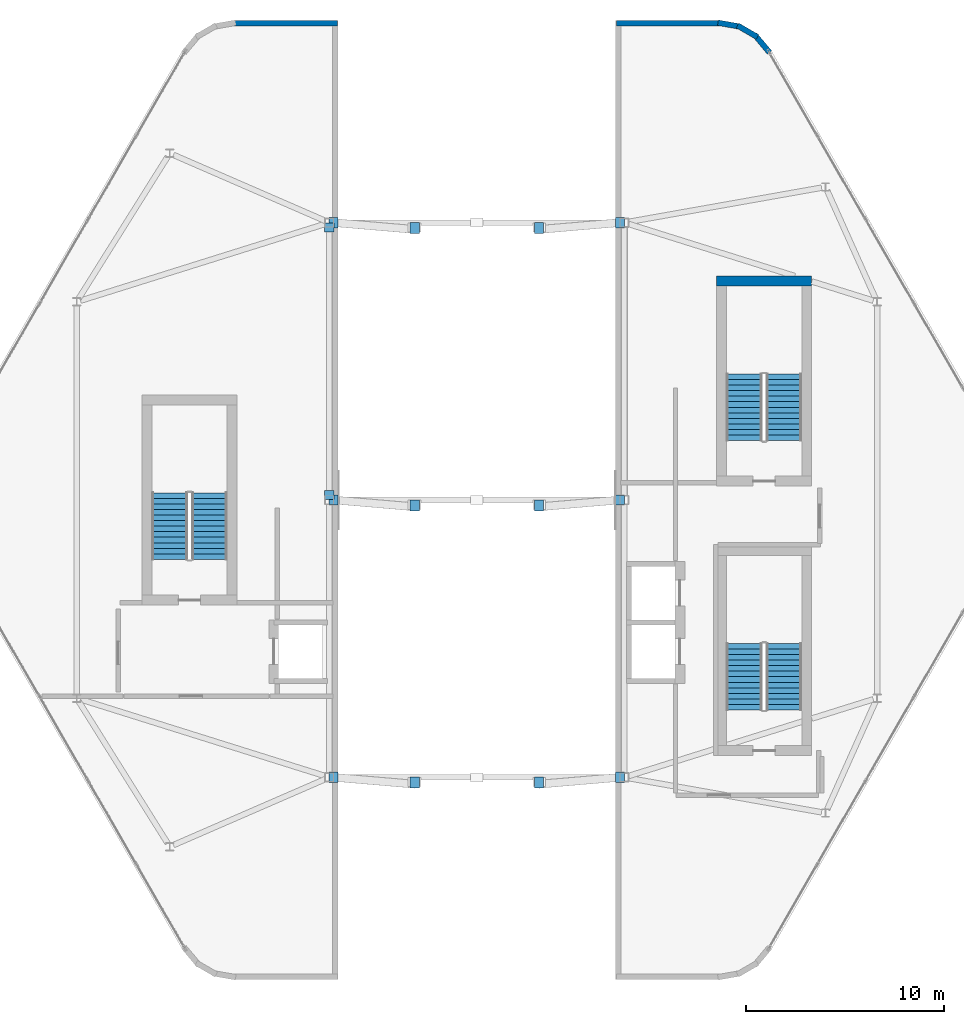
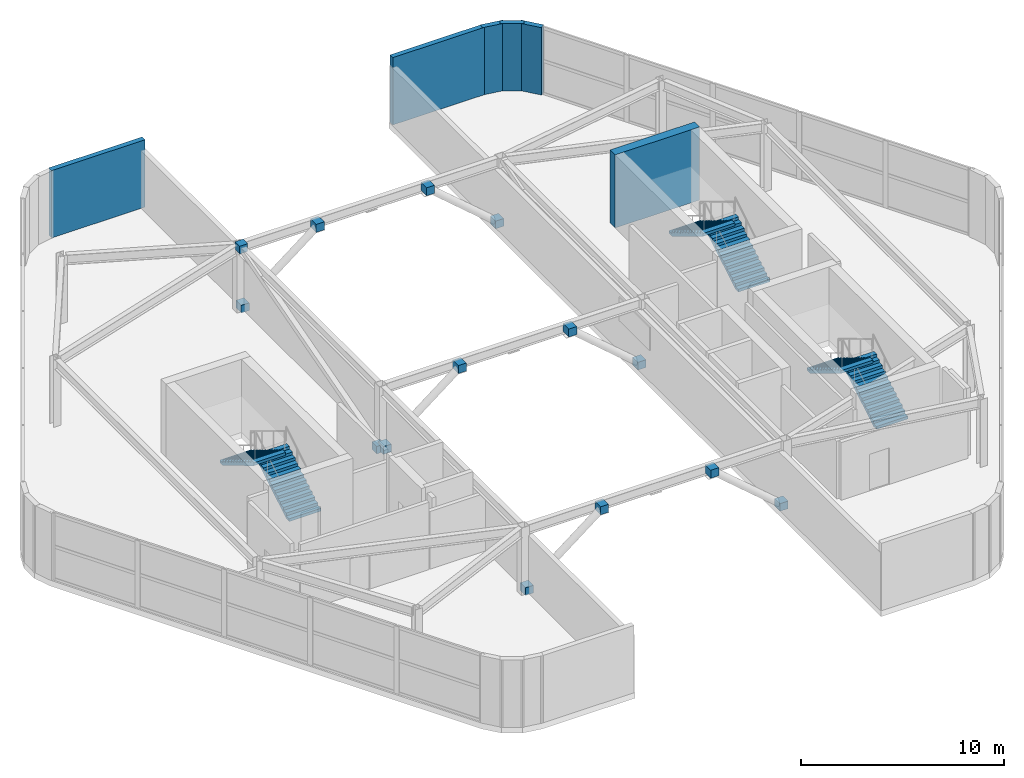
# One storey, part 15 of 16: 14 discrete accessories, 6 stair flights, 6 walls, 3 elements without a shape of their own.
"""IFC4 building model written with IfcOpenShell, lengths in metres."""

from ifc_helpers import new_model, si_unit, direction, frame, frame_2d, origin, origin_2d, place, context, subcontext, project, spatial, polyline, rectangle, outline, extrude, material, layer, layer_set, type_object, element, aggregate, save


model = new_model("IFC4")

# Units and contexts
model_context = context("Model", 3, precision=1e-05, world=origin(), true_north=direction((0.0, 1.0)))
body_context = subcontext(model_context, "Body", "Model", "MODEL_VIEW")
ifc_project = project(units=[si_unit("LENGTHUNIT", "METRE"), si_unit("AREAUNIT", "SQUARE_METRE"), si_unit("VOLUMEUNIT", "CUBIC_METRE"), si_unit("PLANEANGLEUNIT", "RADIAN"), si_unit("MASSUNIT", "GRAM", prefix="KILO")], contexts=[model_context])

# Site, building, storey
site_placement = place(None, origin())
site = spatial("IfcSite", under=ifc_project, at=site_placement, CompositionType="ELEMENT")
building_placement = place(site_placement, origin())
building = spatial("IfcBuilding", under=site, at=building_placement, Name="Zuhravey Tower", CompositionType="ELEMENT")
storey_placement = place(building_placement, frame((0.0, 0.0, 365.800048828125)))
storey = spatial("IfcBuildingStorey", under=building, at=storey_placement, Name="L93", CompositionType="ELEMENT", Elevation=365.800048828125)

# Walls
ifc_material_1 = material(Name="Concrete C50/60", Category="concrete")
ifc_layer_1 = layer(ifc_material_1, 0.5)
ifc_layer_set_1 = layer_set([ifc_layer_1], Name="Concrete C50/60")
wall_type_1 = type_object("IfcWallType", Name="Core Shear Wall 500", PredefinedType="SHEAR", material=ifc_layer_set_1)
wall_1_placement = place(storey_placement, frame((52.89990234375, 43.050048828125, 0.0), z_axis=(0.0, 0.0, 1.0), x_axis=(-1.0, 0.0, 0.0)))
element("IfcWall", 1, at=wall_1_placement, inside=storey, type_object=wall_type_1, Name="L93 CST3 North Shaft Wall", PredefinedType="SHEAR", context=body_context, shape_type="SweptSolid", body=[
    extrude(rectangle(XDim=4.7998046875, YDim=0.5, at=frame_2d((2.39990234375, 0.0))), origin(), (0.0, 0.0, 1.0), 4.39990234375),
])
ifc_material_2 = material(Name="Precast concrete C40/50", Category="concrete")
ifc_layer_2 = layer(ifc_material_2, 0.280029296875)
ifc_layer_set_2 = layer_set([ifc_layer_2], Name="Precast concrete C40/50")
wall_type_2 = type_object("IfcWallType", Name="Crown Architectural Wall 280", PredefinedType="SOLIDWALL", material=ifc_layer_set_2)
wall_2_placement = place(storey_placement, frame((23.640380859375, 56.07421875, 0.0), z_axis=(0.0, 0.0, 1.0), x_axis=(1.0, 0.0, 0.0)))
element("IfcWall", 2, at=wall_2_placement, inside=storey, type_object=wall_type_2, Name="L93 WEST Crest Wall EW28-12", PredefinedType="SOLIDWALL", context=body_context, shape_type="SweptSolid", body=[
    extrude(rectangle(XDim=5.314697265625, YDim=0.280029296875, at=frame_2d((2.6572265625, 0.0))), origin(), (0.0, 0.0, 1.0), 4.050048828125),
])
wall_3_placement = place(storey_placement, frame((48.1708984375, 56.090576171875, 0.0), z_axis=(0.0, 0.0, 1.0), x_axis=(0.984798162481, -0.173702559495, 0.0)))
element("IfcWall", 3, at=wall_3_placement, inside=storey, type_object=wall_type_2, Name="L93 EAST Crest Wall EW28-01", PredefinedType="SOLIDWALL", context=body_context, shape_type="SweptSolid", body=[
    extrude(rectangle(XDim=1.177734375, YDim=0.280029296875, at=frame_2d((0.5888671875, 0.0))), origin(), (0.0, 0.0, 1.0), 4.050048828125),
])
wall_4_placement = place(storey_placement, frame((49.15478515625, 55.9501953125, 0.0), z_axis=(0.0, 0.0, 1.0), x_axis=(0.865951785477, -0.500127488975, 0.0)))
element("IfcWall", 4, at=wall_4_placement, inside=storey, type_object=wall_type_2, Name="L93 EAST Crest Wall EW28-02", PredefinedType="SOLIDWALL", context=body_context, shape_type="SweptSolid", body=[
    extrude(rectangle(XDim=1.165283203125, YDim=0.280029296875, at=frame_2d((0.58251953125, 0.0))), origin(), (0.0, 0.0, 1.0), 4.050048828125),
])
wall_5_placement = place(storey_placement, frame((50.0205078125, 55.48779296875, 0.0), z_axis=(0.0, 0.0, 1.0), x_axis=(0.642851701012, -0.765990659542, 0.0)))
element("IfcWall", 5, at=wall_5_placement, inside=storey, type_object=wall_type_2, Name="L93 EAST Crest Wall EW28-03", PredefinedType="SOLIDWALL", context=body_context, shape_type="SweptSolid", body=[
    extrude(rectangle(XDim=1.177734375, YDim=0.280029296875, at=frame_2d((0.5888671875, 0.0))), origin(), (0.0, 0.0, 1.0), 4.050048828125),
])
wall_6_placement = place(storey_placement, frame((43.044921875, 56.07421875, 0.0), z_axis=(0.0, 0.0, 1.0), x_axis=(1.0, 0.0, 0.0)))
element("IfcWall", 6, at=wall_6_placement, inside=storey, type_object=wall_type_2, Name="L93 EAST Crest Wall EW28-14", PredefinedType="SOLIDWALL", context=body_context, shape_type="SweptSolid", body=[
    extrude(rectangle(XDim=5.314697265625, YDim=0.280029296875, at=frame_2d((2.6572265625, 0.0))), origin(), (0.0, 0.0, 1.0), 4.050048828125),
])

# Stair, stair flights
ifc_material_3 = material(Name="Concrete C40/50", Category="concrete")
stair_type = type_object("IfcStairType", Name="Crown Storey Stair Assembly 4400", PredefinedType="HALF_TURN_STAIR", material=ifc_material_3)
stair_1_placement = place(storey_placement, origin())
stair_1 = element("IfcStair", 7, at=stair_1_placement, inside=storey, type_object=stair_type, Name="L93 West Crest Stair CST1", PredefinedType="HALF_TURN_STAIR")
stair_flight_type = type_object("IfcStairFlightType", Name="Crown Storey Stair Flight 4400", PredefinedType="STRAIGHT", material=ifc_material_3)
stair_flight_1_placement = place(storey_placement, frame((22.5, 29.0, 0.0), z_axis=(0.0, 0.0, 1.0), x_axis=(0.0, 1.0, 0.0)))
stair_flight_1 = element("IfcStairFlight", 8, at=stair_flight_1_placement, type_object=stair_flight_type, Name="CST1 flight 1", NumberOfRisers=13, NumberOfTreads=12, PredefinedType="STRAIGHT", RiserHeight=0.169230769, TreadLength=0.28, context=body_context, shape_type="SweptSolid", body=[
    extrude(outline(polyline([(0.0, 0.0), (0.0, 0.169189453125), (0.280029296875, 0.169189453125), (0.280029296875, 0.33837890625), (0.56005859375, 0.33837890625), (0.56005859375, 0.5078125), (0.840087890625, 0.5078125), (0.840087890625, 0.677001953125), (1.1201171875, 0.677001953125), (1.1201171875, 0.84619140625), (1.39990234375, 0.84619140625), (1.39990234375, 1.015380859375), (1.679931640625, 1.015380859375), (1.679931640625, 1.1845703125), (1.9599609375, 1.1845703125), (1.9599609375, 1.353759765625), (2.239990234375, 1.353759765625), (2.239990234375, 1.523193359375), (2.52001953125, 1.523193359375), (2.52001953125, 1.6923828125), (2.800048828125, 1.6923828125), (2.800048828125, 1.861572265625), (3.080078125, 1.861572265625), (3.080078125, 2.03076171875), (3.360107421875, 2.03076171875), (3.360107421875, 2.199951171875), (3.360107421875, 1.855712890625), (0.289794921875, 0.0), (0.0, 0.0)])), frame((0.0, 0.89990234375, 0.0), z_axis=(0.0, -1.0, 0.0), x_axis=(1.0, 0.0, 0.0)), (0.0, 0.0, 1.0), 1.800048828125),
])
stair_flight_2_placement = place(storey_placement, frame((20.5, 32.360107421875, 2.199951171875), z_axis=(0.0, 0.0, 1.0), x_axis=(0.0, -1.0, 0.0)))
stair_flight_2 = element("IfcStairFlight", 9, at=stair_flight_2_placement, type_object=stair_flight_type, Name="CST1 flight 2", NumberOfRisers=13, NumberOfTreads=12, PredefinedType="STRAIGHT", RiserHeight=0.169230769, TreadLength=0.28, context=body_context, shape_type="SweptSolid", body=[
    extrude(outline(polyline([(0.0, 0.0), (0.0, 0.169189453125), (0.280029296875, 0.169189453125), (0.280029296875, 0.33837890625), (0.56005859375, 0.33837890625), (0.56005859375, 0.5078125), (0.840087890625, 0.5078125), (0.840087890625, 0.677001953125), (1.1201171875, 0.677001953125), (1.1201171875, 0.84619140625), (1.39990234375, 0.84619140625), (1.39990234375, 1.015380859375), (1.679931640625, 1.015380859375), (1.679931640625, 1.1845703125), (1.9599609375, 1.1845703125), (1.9599609375, 1.353759765625), (2.239990234375, 1.353759765625), (2.239990234375, 1.523193359375), (2.52001953125, 1.523193359375), (2.52001953125, 1.6923828125), (2.800048828125, 1.6923828125), (2.800048828125, 1.861572265625), (3.080078125, 1.861572265625), (3.080078125, 2.03076171875), (3.360107421875, 2.03076171875), (3.360107421875, 2.199951171875), (3.360107421875, 1.855712890625), (0.289794921875, 0.0), (0.0, 0.0)])), frame((0.0, 0.89990234375, 0.0), z_axis=(0.0, -1.0, 0.0), x_axis=(1.0, 0.0, 0.0)), (0.0, 0.0, 1.0), 1.800048828125),
])
aggregate(stair_1, [stair_flight_1, stair_flight_2])

stair_2_placement = place(storey_placement, origin())
stair_2 = element("IfcStair", 10, at=stair_2_placement, inside=storey, type_object=stair_type, Name="L93 East Crest South Stair CST2", PredefinedType="HALF_TURN_STAIR")
stair_flight_3_placement = place(storey_placement, frame((51.5, 21.39990234375, 0.0), z_axis=(0.0, 0.0, 1.0), x_axis=(0.0, 1.0, 0.0)))
stair_flight_3 = element("IfcStairFlight", 11, at=stair_flight_3_placement, type_object=stair_flight_type, Name="CST2 flight 1", NumberOfRisers=13, NumberOfTreads=12, PredefinedType="STRAIGHT", RiserHeight=0.169230769, TreadLength=0.28, context=body_context, shape_type="SweptSolid", body=[
    extrude(outline(polyline([(0.0, 0.0), (0.0, 0.169189453125), (0.280029296875, 0.169189453125), (0.280029296875, 0.33837890625), (0.56005859375, 0.33837890625), (0.56005859375, 0.5078125), (0.840087890625, 0.5078125), (0.840087890625, 0.677001953125), (1.1201171875, 0.677001953125), (1.1201171875, 0.84619140625), (1.39990234375, 0.84619140625), (1.39990234375, 1.015380859375), (1.679931640625, 1.015380859375), (1.679931640625, 1.1845703125), (1.9599609375, 1.1845703125), (1.9599609375, 1.353759765625), (2.239990234375, 1.353759765625), (2.239990234375, 1.523193359375), (2.52001953125, 1.523193359375), (2.52001953125, 1.6923828125), (2.800048828125, 1.6923828125), (2.800048828125, 1.861572265625), (3.080078125, 1.861572265625), (3.080078125, 2.03076171875), (3.360107421875, 2.03076171875), (3.360107421875, 2.199951171875), (3.360107421875, 1.855712890625), (0.289794921875, 0.0), (0.0, 0.0)])), frame((0.0, 0.89990234375, 0.0), z_axis=(0.0, -1.0, 0.0), x_axis=(1.0, 0.0, 0.0)), (0.0, 0.0, 1.0), 1.800048828125),
])
stair_flight_4_placement = place(storey_placement, frame((49.5, 24.760009765625, 2.199951171875), z_axis=(0.0, 0.0, 1.0), x_axis=(0.0, -1.0, 0.0)))
stair_flight_4 = element("IfcStairFlight", 12, at=stair_flight_4_placement, type_object=stair_flight_type, Name="CST2 flight 2", NumberOfRisers=13, NumberOfTreads=12, PredefinedType="STRAIGHT", RiserHeight=0.169230769, TreadLength=0.28, context=body_context, shape_type="SweptSolid", body=[
    extrude(outline(polyline([(0.0, 0.0), (0.0, 0.169189453125), (0.280029296875, 0.169189453125), (0.280029296875, 0.33837890625), (0.56005859375, 0.33837890625), (0.56005859375, 0.5078125), (0.840087890625, 0.5078125), (0.840087890625, 0.677001953125), (1.1201171875, 0.677001953125), (1.1201171875, 0.84619140625), (1.39990234375, 0.84619140625), (1.39990234375, 1.015380859375), (1.679931640625, 1.015380859375), (1.679931640625, 1.1845703125), (1.9599609375, 1.1845703125), (1.9599609375, 1.353759765625), (2.239990234375, 1.353759765625), (2.239990234375, 1.523193359375), (2.52001953125, 1.523193359375), (2.52001953125, 1.6923828125), (2.800048828125, 1.6923828125), (2.800048828125, 1.861572265625), (3.080078125, 1.861572265625), (3.080078125, 2.03076171875), (3.360107421875, 2.03076171875), (3.360107421875, 2.199951171875), (3.360107421875, 1.855712890625), (0.289794921875, 0.0), (0.0, 0.0)])), frame((0.0, 0.89990234375, 0.0), z_axis=(0.0, -1.0, 0.0), x_axis=(1.0, 0.0, 0.0)), (0.0, 0.0, 1.0), 1.800048828125),
])
aggregate(stair_2, [stair_flight_3, stair_flight_4])

stair_3_placement = place(storey_placement, origin())
stair_3 = element("IfcStair", 13, at=stair_3_placement, inside=storey, type_object=stair_type, Name="L93 East Crest North Stair CST3", PredefinedType="HALF_TURN_STAIR")
stair_flight_5_placement = place(storey_placement, frame((51.5, 35.0, 0.0), z_axis=(0.0, 0.0, 1.0), x_axis=(0.0, 1.0, 0.0)))
stair_flight_5 = element("IfcStairFlight", 14, at=stair_flight_5_placement, type_object=stair_flight_type, Name="CST3 flight 1", NumberOfRisers=13, NumberOfTreads=12, PredefinedType="STRAIGHT", RiserHeight=0.169230769, TreadLength=0.28, context=body_context, shape_type="SweptSolid", body=[
    extrude(outline(polyline([(0.0, 0.0), (0.0, 0.169189453125), (0.280029296875, 0.169189453125), (0.280029296875, 0.33837890625), (0.56005859375, 0.33837890625), (0.56005859375, 0.5078125), (0.840087890625, 0.5078125), (0.840087890625, 0.677001953125), (1.1201171875, 0.677001953125), (1.1201171875, 0.84619140625), (1.39990234375, 0.84619140625), (1.39990234375, 1.015380859375), (1.679931640625, 1.015380859375), (1.679931640625, 1.1845703125), (1.9599609375, 1.1845703125), (1.9599609375, 1.353759765625), (2.239990234375, 1.353759765625), (2.239990234375, 1.523193359375), (2.52001953125, 1.523193359375), (2.52001953125, 1.6923828125), (2.800048828125, 1.6923828125), (2.800048828125, 1.861572265625), (3.080078125, 1.861572265625), (3.080078125, 2.03076171875), (3.360107421875, 2.03076171875), (3.360107421875, 2.199951171875), (3.360107421875, 1.855712890625), (0.289794921875, 0.0), (0.0, 0.0)])), frame((0.0, 0.89990234375, 0.0), z_axis=(0.0, -1.0, 0.0), x_axis=(1.0, 0.0, 0.0)), (0.0, 0.0, 1.0), 1.800048828125),
])
stair_flight_6_placement = place(storey_placement, frame((49.5, 38.360107421875, 2.199951171875), z_axis=(0.0, 0.0, 1.0), x_axis=(0.0, -1.0, 0.0)))
stair_flight_6 = element("IfcStairFlight", 15, at=stair_flight_6_placement, type_object=stair_flight_type, Name="CST3 flight 2", NumberOfRisers=13, NumberOfTreads=12, PredefinedType="STRAIGHT", RiserHeight=0.169230769, TreadLength=0.28, context=body_context, shape_type="SweptSolid", body=[
    extrude(outline(polyline([(0.0, 0.0), (0.0, 0.169189453125), (0.280029296875, 0.169189453125), (0.280029296875, 0.33837890625), (0.56005859375, 0.33837890625), (0.56005859375, 0.5078125), (0.840087890625, 0.5078125), (0.840087890625, 0.677001953125), (1.1201171875, 0.677001953125), (1.1201171875, 0.84619140625), (1.39990234375, 0.84619140625), (1.39990234375, 1.015380859375), (1.679931640625, 1.015380859375), (1.679931640625, 1.1845703125), (1.9599609375, 1.1845703125), (1.9599609375, 1.353759765625), (2.239990234375, 1.353759765625), (2.239990234375, 1.523193359375), (2.52001953125, 1.523193359375), (2.52001953125, 1.6923828125), (2.800048828125, 1.6923828125), (2.800048828125, 1.861572265625), (3.080078125, 1.861572265625), (3.080078125, 2.03076171875), (3.360107421875, 2.03076171875), (3.360107421875, 2.199951171875), (3.360107421875, 1.855712890625), (0.289794921875, 0.0), (0.0, 0.0)])), frame((0.0, 0.89990234375, 0.0), z_axis=(0.0, -1.0, 0.0), x_axis=(1.0, 0.0, 0.0)), (0.0, 0.0, 1.0), 1.800048828125),
])
aggregate(stair_3, [stair_flight_5, stair_flight_6])

# Discrete accessories
ifc_material_4 = material(Name="Steel SM355", Category="steel")
discrete_accessory_type = type_object("IfcDiscreteAccessoryType", Name="Exoskeleton Support Bracket", PredefinedType="BRACKET", material=ifc_material_4)
for number, where, z_axis, x_axis, name in (
    (16, (28.550048828125, 32.249267578125, -0.12451171875), (0.0, 0.0, 1.0), (1.0, 0.0, 0.0), "L93 WCFS1 End Shoe BRK1-FT"),
    (17, (28.550048828125, 45.750732421875, 3.71435546875), (0.0, 0.0, 1.0), (1.0, 0.0, 0.0), "L93 WCFS1 End Shoe BRK1-HD"),
):
    element("IfcDiscreteAccessory", number, at=place(storey_placement, frame(where, z_axis=z_axis, x_axis=x_axis)), inside=storey, type_object=discrete_accessory_type, Name=name, PredefinedType="BRACKET", context=body_context, shape_type="SweptSolid", body=[
        extrude(rectangle(XDim=0.4599609375, YDim=0.4599609375, at=origin_2d()), origin(), (0.0, 0.0, 1.0), 0.4599609375),
    ])
discrete_accessory_1_placement = place(storey_placement, frame((28.765380859375, 18.0, -0.048828125), z_axis=(0.0, 0.0, 1.0), x_axis=(1.0, 0.0, 0.0)))
element("IfcDiscreteAccessory", 18, at=discrete_accessory_1_placement, inside=storey, type_object=discrete_accessory_type, Name="L93 Wind-Portal Arch Foot Shoe BRK1-1W", PredefinedType="BRACKET", context=body_context, shape_type="SweptSolid", body=[
    extrude(rectangle(XDim=0.4599609375, YDim=0.52001953125, at=origin_2d()), origin(), (0.0, 0.0, 1.0), 0.4599609375),
])
discrete_accessory_2_placement = place(storey_placement, frame((32.863525390625, 17.732177734375, 3.543701171875), z_axis=(0.0, 0.0, 1.0), x_axis=(1.0, 0.0, 0.0)))
element("IfcDiscreteAccessory", 19, at=discrete_accessory_2_placement, inside=storey, type_object=discrete_accessory_type, Name="L93 Wind-Portal Arch Head Shoe BRK1-1W", PredefinedType="BRACKET", context=body_context, shape_type="SweptSolid", body=[
    extrude(rectangle(XDim=0.4599609375, YDim=0.56005859375, at=origin_2d()), origin(), (0.0, 0.0, 1.0), 0.47998046875),
])
discrete_accessory_3_placement = place(storey_placement, frame((43.234619140625, 18.0, -0.048828125), z_axis=(0.0, 0.0, 1.0), x_axis=(1.0, 0.0, 0.0)))
element("IfcDiscreteAccessory", 20, at=discrete_accessory_3_placement, inside=storey, type_object=discrete_accessory_type, Name="L93 Wind-Portal Arch Foot Shoe BRK1-1E", PredefinedType="BRACKET", context=body_context, shape_type="SweptSolid", body=[
    extrude(rectangle(XDim=0.4599609375, YDim=0.52001953125, at=origin_2d()), origin(), (0.0, 0.0, 1.0), 0.4599609375),
])
discrete_accessory_4_placement = place(storey_placement, frame((39.136474609375, 17.732177734375, 3.543701171875), z_axis=(0.0, 0.0, 1.0), x_axis=(1.0, 0.0, 0.0)))
element("IfcDiscreteAccessory", 21, at=discrete_accessory_4_placement, inside=storey, type_object=discrete_accessory_type, Name="L93 Wind-Portal Arch Head Shoe BRK1-1E", PredefinedType="BRACKET", context=body_context, shape_type="SweptSolid", body=[
    extrude(rectangle(XDim=0.4599609375, YDim=0.56005859375, at=origin_2d()), origin(), (0.0, 0.0, 1.0), 0.47998046875),
])
discrete_accessory_5_placement = place(storey_placement, frame((28.765380859375, 32.0, -0.048828125), z_axis=(0.0, 0.0, 1.0), x_axis=(1.0, 0.0, 0.0)))
element("IfcDiscreteAccessory", 22, at=discrete_accessory_5_placement, inside=storey, type_object=discrete_accessory_type, Name="L93 Wind-Portal Arch Foot Shoe BRK1-2W", PredefinedType="BRACKET", context=body_context, shape_type="SweptSolid", body=[
    extrude(rectangle(XDim=0.4599609375, YDim=0.52001953125, at=origin_2d()), origin(), (0.0, 0.0, 1.0), 0.4599609375),
])
discrete_accessory_6_placement = place(storey_placement, frame((32.863525390625, 31.732177734375, 3.543701171875), z_axis=(0.0, 0.0, 1.0), x_axis=(1.0, 0.0, 0.0)))
element("IfcDiscreteAccessory", 23, at=discrete_accessory_6_placement, inside=storey, type_object=discrete_accessory_type, Name="L93 Wind-Portal Arch Head Shoe BRK1-2W", PredefinedType="BRACKET", context=body_context, shape_type="SweptSolid", body=[
    extrude(rectangle(XDim=0.4599609375, YDim=0.56005859375, at=origin_2d()), origin(), (0.0, 0.0, 1.0), 0.47998046875),
])
discrete_accessory_7_placement = place(storey_placement, frame((43.234619140625, 32.0, -0.048828125), z_axis=(0.0, 0.0, 1.0), x_axis=(1.0, 0.0, 0.0)))
element("IfcDiscreteAccessory", 24, at=discrete_accessory_7_placement, inside=storey, type_object=discrete_accessory_type, Name="L93 Wind-Portal Arch Foot Shoe BRK1-2E", PredefinedType="BRACKET", context=body_context, shape_type="SweptSolid", body=[
    extrude(rectangle(XDim=0.4599609375, YDim=0.52001953125, at=origin_2d()), origin(), (0.0, 0.0, 1.0), 0.4599609375),
])
discrete_accessory_8_placement = place(storey_placement, frame((39.136474609375, 31.732177734375, 3.543701171875), z_axis=(0.0, 0.0, 1.0), x_axis=(1.0, 0.0, 0.0)))
element("IfcDiscreteAccessory", 25, at=discrete_accessory_8_placement, inside=storey, type_object=discrete_accessory_type, Name="L93 Wind-Portal Arch Head Shoe BRK1-2E", PredefinedType="BRACKET", context=body_context, shape_type="SweptSolid", body=[
    extrude(rectangle(XDim=0.4599609375, YDim=0.56005859375, at=origin_2d()), origin(), (0.0, 0.0, 1.0), 0.47998046875),
])
discrete_accessory_9_placement = place(storey_placement, frame((28.765380859375, 46.0, -0.048828125), z_axis=(0.0, 0.0, 1.0), x_axis=(1.0, 0.0, 0.0)))
element("IfcDiscreteAccessory", 26, at=discrete_accessory_9_placement, inside=storey, type_object=discrete_accessory_type, Name="L93 Wind-Portal Arch Foot Shoe BRK1-3W", PredefinedType="BRACKET", context=body_context, shape_type="SweptSolid", body=[
    extrude(rectangle(XDim=0.4599609375, YDim=0.52001953125, at=origin_2d()), origin(), (0.0, 0.0, 1.0), 0.4599609375),
])
discrete_accessory_10_placement = place(storey_placement, frame((32.863525390625, 45.732177734375, 3.543701171875), z_axis=(0.0, 0.0, 1.0), x_axis=(1.0, 0.0, 0.0)))
element("IfcDiscreteAccessory", 27, at=discrete_accessory_10_placement, inside=storey, type_object=discrete_accessory_type, Name="L93 Wind-Portal Arch Head Shoe BRK1-3W", PredefinedType="BRACKET", context=body_context, shape_type="SweptSolid", body=[
    extrude(rectangle(XDim=0.4599609375, YDim=0.56005859375, at=origin_2d()), origin(), (0.0, 0.0, 1.0), 0.47998046875),
])
discrete_accessory_11_placement = place(storey_placement, frame((43.234619140625, 46.0, -0.048828125), z_axis=(0.0, 0.0, 1.0), x_axis=(1.0, 0.0, 0.0)))
element("IfcDiscreteAccessory", 28, at=discrete_accessory_11_placement, inside=storey, type_object=discrete_accessory_type, Name="L93 Wind-Portal Arch Foot Shoe BRK1-3E", PredefinedType="BRACKET", context=body_context, shape_type="SweptSolid", body=[
    extrude(rectangle(XDim=0.4599609375, YDim=0.52001953125, at=origin_2d()), origin(), (0.0, 0.0, 1.0), 0.4599609375),
])
discrete_accessory_12_placement = place(storey_placement, frame((39.136474609375, 45.732177734375, 3.543701171875), z_axis=(0.0, 0.0, 1.0), x_axis=(1.0, 0.0, 0.0)))
element("IfcDiscreteAccessory", 29, at=discrete_accessory_12_placement, inside=storey, type_object=discrete_accessory_type, Name="L93 Wind-Portal Arch Head Shoe BRK1-3E", PredefinedType="BRACKET", context=body_context, shape_type="SweptSolid", body=[
    extrude(rectangle(XDim=0.4599609375, YDim=0.56005859375, at=origin_2d()), origin(), (0.0, 0.0, 1.0), 0.47998046875),
])

save(model, "model.ifc")
